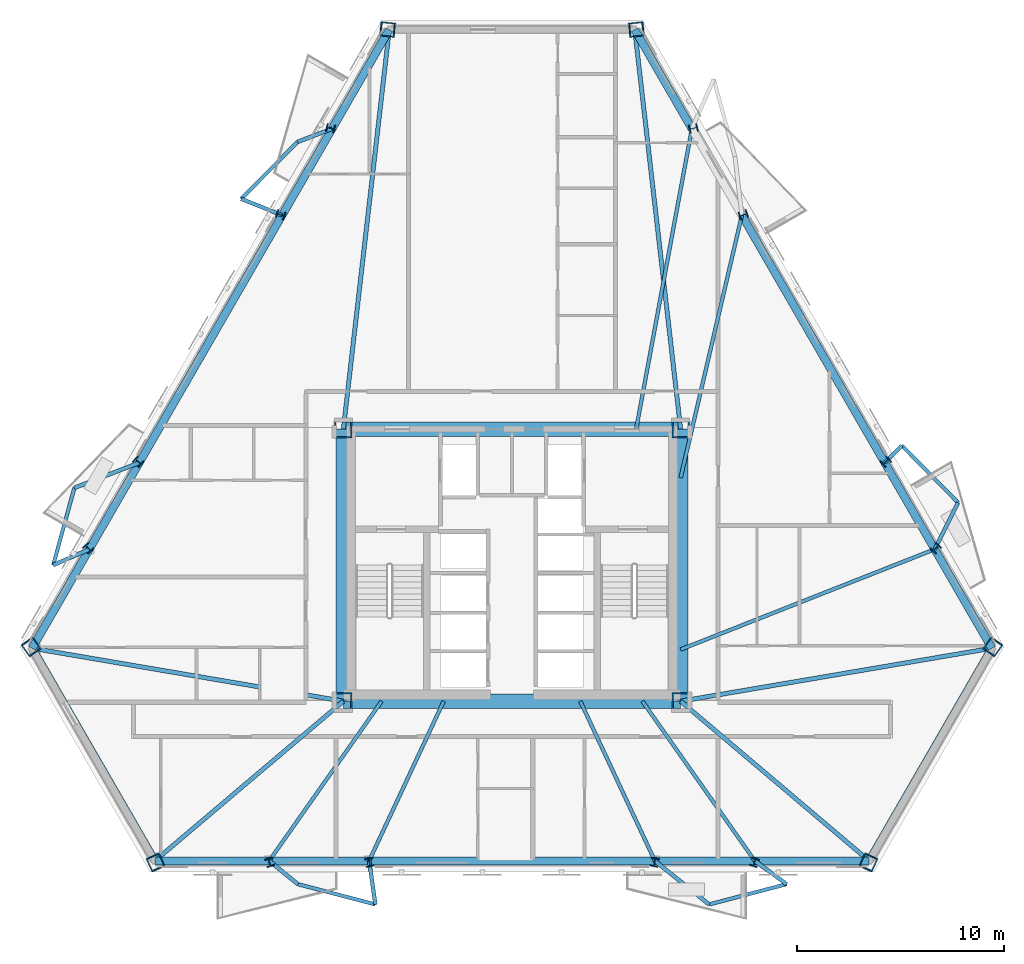
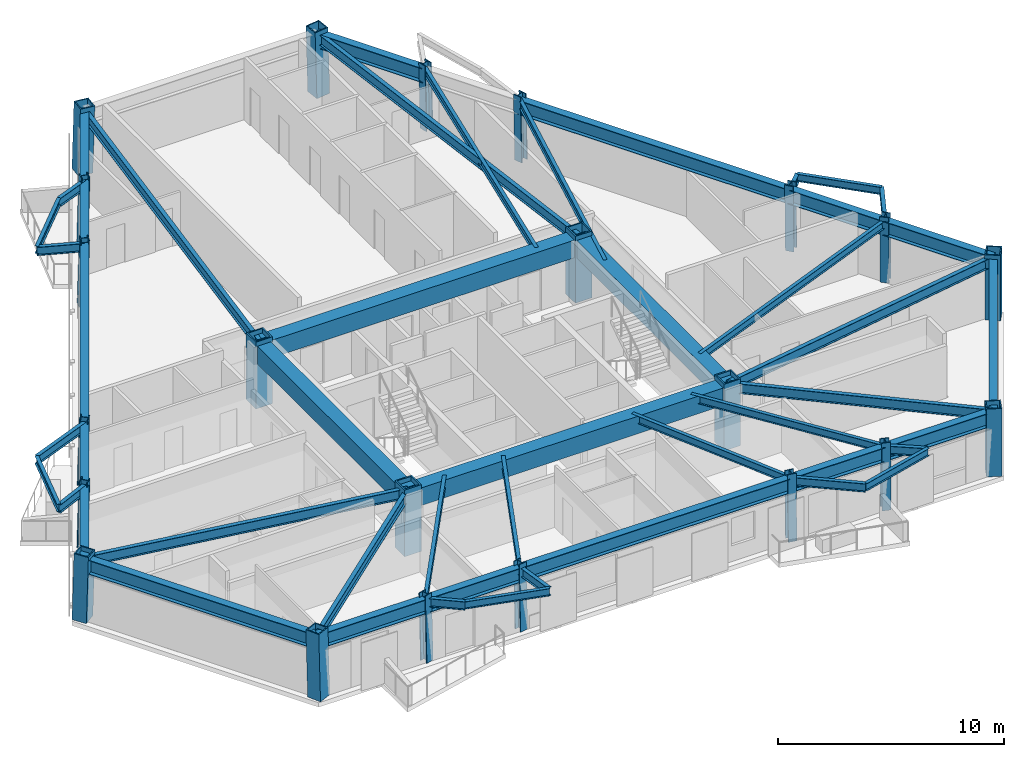
# One storey, part 1 of 10: 48 beams, 22 columns.
"""IFC4 building model written with IfcOpenShell, lengths in metres."""

from ifc_helpers import new_model, si_unit, direction, frame, origin, origin_2d, place, context, subcontext, project, spatial, rectangle, hollow_rectangle, i_section, extrude, material, material_profile, profile_set, type_object, element, save


model = new_model("IFC4")

# Units and contexts
model_context = context("Model", 3, precision=1e-05, world=origin(), true_north=direction((0.0, 1.0)))
body_context = subcontext(model_context, "Body", "Model", "MODEL_VIEW")
ifc_project = project(units=[si_unit("LENGTHUNIT", "METRE"), si_unit("AREAUNIT", "SQUARE_METRE"), si_unit("VOLUMEUNIT", "CUBIC_METRE"), si_unit("PLANEANGLEUNIT", "RADIAN"), si_unit("MASSUNIT", "GRAM", prefix="KILO")], contexts=[model_context])

# Site, building, storey
site_placement = place(None, origin())
site = spatial("IfcSite", under=ifc_project, at=site_placement, CompositionType="ELEMENT")
building_placement = place(site_placement, origin())
building = spatial("IfcBuilding", under=site, at=building_placement, Name="Oramaril Tower", CompositionType="ELEMENT")
storey_placement = place(building_placement, frame((0.0, 0.0, 96.89990234375)))
storey = spatial("IfcBuildingStorey", under=building, at=storey_placement, Name="L25", CompositionType="ELEMENT", Elevation=96.89990234375)

# Columns
ifc_material_1 = material(Name="Steel ASTM A572 Gr 50", Category="steel")
ifc_material_profile_1 = material_profile(ifc_material_1, hollow_rectangle(XDim=0.85009765625, YDim=0.85009765625, WallThickness=0.070068359375, at=origin_2d()), Name="BOX850X850X70")
ifc_profile_set_1 = profile_set([ifc_material_profile_1], Name="Steel ASTM A572 Gr 50")
column_type_1 = type_object("IfcColumnType", Name="CT-CC3", PredefinedType="COLUMN", material=ifc_profile_set_1)
for number, where, z_axis, x_axis, name in (
    (1, (29.35009765625, 11.0, 0.0), (0.0, 0.0, 1.0), (1.0, 0.0, 0.0), "L25 Core Column CC-1"),
    (2, (45.64990234375, 11.0, 0.0), (0.0, 0.0, 1.0), (1.0, 0.0, 0.0), "L25 Core Column CC-2"),
    (3, (45.64990234375, 24.14990234375, 0.0), (0.0, 0.0, 1.0), (1.0, 0.0, 0.0), "L25 Core Column CC-3"),
    (4, (29.35009765625, 24.14990234375, 0.0), (0.0, 0.0, 1.0), (1.0, 0.0, 0.0), "L25 Core Column CC-4"),
):
    element("IfcColumn", number, at=place(storey_placement, frame(where, z_axis=z_axis, x_axis=x_axis)), inside=storey, type_object=column_type_1, Name=name, PredefinedType="COLUMN", context=body_context, shape_type="SweptSolid", body=[
        extrude(hollow_rectangle(XDim=0.85009765625, YDim=0.85009765625, WallThickness=0.070068359375, at=origin_2d()), origin(), (0.0, 0.0, 1.0), 3.60009765625),
    ])
ifc_material_2 = material(Name="Steel ASTM A572 Gr 50", Category="steel")
ifc_material_profile_2 = material_profile(ifc_material_2, hollow_rectangle(XDim=0.699951171875, YDim=0.699951171875, WallThickness=0.054931640625, at=origin_2d()), Name="BOX700X700X55")
ifc_profile_set_2 = profile_set([ifc_material_profile_2], Name="Steel ASTM A572 Gr 50")
column_type_2 = type_object("IfcColumnType", Name="CT-TC4", PredefinedType="COLUMN", material=ifc_profile_set_2)
for number, where, z_axis, x_axis, name in (
    (5, (14.25390625, 13.63916015625, 0.004638671875), (0.015563108273, -0.02181553605, 0.999640871537), (0.814076040897, 0.580758297089, 0.0), "L25 Tube Column TC-01"),
    (6, (20.281494140625, 3.198486328125, 0.004638671875), (-0.011077653379, 0.024465982923, 0.99963928558), (-0.910972120712, -0.412467932433, 0.0), "L25 Tube Column TC-02"),
    (7, (54.718505859375, 3.198486328125, 0.004638671875), (0.011077653379, 0.024465982923, 0.99963928558), (-0.910972120712, 0.412467932433, 0.0), "L25 Tube Column TC-03"),
    (8, (60.74609375, 13.63916015625, 0.004638671875), (-0.015563108273, -0.02181553605, 0.999640871537), (0.814076040897, -0.580758297089, 0.0), "L25 Tube Column TC-04"),
    (9, (43.52783203125, 43.46240234375, 0.004638671875), (-0.026708710298, -0.002650482701, 0.999639744976), (0.098751584092, -0.995112116618, 0.0), "L25 Tube Column TC-05"),
    (10, (31.47216796875, 43.46240234375, 0.004638671875), (0.026708710298, -0.002650482701, 0.999639744976), (0.098751584092, 0.995112116618, 0.0), "L25 Tube Column TC-06"),
):
    element("IfcColumn", number, at=place(storey_placement, frame(where, z_axis=z_axis, x_axis=x_axis)), inside=storey, type_object=column_type_2, Name=name, PredefinedType="COLUMN", context=body_context, shape_type="SweptSolid", body=[
        extrude(hollow_rectangle(XDim=0.699951171875, YDim=0.699951171875, WallThickness=0.054931640625, at=origin_2d()), origin(), (0.0, 0.0, 1.0), 3.59228515625),
    ])
ifc_material_3 = material(Name="Steel ASTM A572 Gr 50", Category="steel")
ifc_material_profile_3 = material_profile(ifc_material_3, i_section(OverallWidth=0.404052734375, OverallDepth=0.406005859375, WebThickness=0.027099609375, FlangeThickness=0.043701171875, at=origin_2d()), Name="W14X233")
ifc_profile_set_3 = profile_set([ifc_material_profile_3], Name="Steel ASTM A572 Gr 50")
column_type_3 = type_object("IfcColumnType", Name="CT-TF3", PredefinedType="COLUMN", material=ifc_profile_set_3)
for number, where, z_axis, x_axis, name in (
    (11, (25.79150390625, 3.198486328125, 0.004638671875), (-0.007543926295, 0.024466787983, 0.999672178998), (-0.955606663527, -0.294645387921, 0.0), "L25 Tube Column TC-07"),
    (12, (30.612548828125, 3.198486328125, 0.004638671875), (-0.004417697099, 0.02446724547, 0.999690871145), (-0.9840878611, -0.177682530476, 0.0), "L25 Tube Column TC-08"),
    (13, (44.387451171875, 3.198486328125, 0.004638671875), (0.004417697099, 0.02446724547, 0.999690871145), (-0.9840878611, 0.177682530476, 0.0), "L25 Tube Column TC-09"),
    (14, (49.20849609375, 3.198486328125, 0.004638671875), (0.007543926295, 0.024466787983, 0.999672178998), (-0.955606663527, 0.294645387921, 0.0), "L25 Tube Column TC-10"),
    (15, (57.9912109375, 18.410888671875, 0.004638671875), (-0.017330670306, -0.018757901978, 0.9996738413), (0.734497286763, -0.678611623639, 0.0), "L25 Tube Column TC-11"),
    (16, (55.580810546875, 22.586181640625, 0.004638671875), (-0.018962107137, -0.016107596385, 0.999690444003), (0.647410505521, -0.762141481183, 0.0), "L25 Tube Column TC-12"),
    (17, (48.693359375, 34.515380859375, 0.004638671875), (-0.023379831777, -0.008359649153, 0.999691702342), (0.336683176567, -0.941617989748, 0.0), "L25 Tube Column TC-13"),
    (18, (46.28271484375, 38.690673828125, 0.004638671875), (-0.024942541221, -0.005708919517, 0.999672585338), (0.223113275422, -0.974792524761, 0.0), "L25 Tube Column TC-14"),
    (19, (28.71728515625, 38.690673828125, 0.004638671875), (0.024942541221, -0.005708919517, 0.999672585338), (0.223113275422, 0.974792524761, 0.0), "L25 Tube Column TC-15"),
    (20, (26.306640625, 34.515380859375, 0.004638671875), (0.023379831777, -0.008359649153, 0.999691702342), (0.336683176567, 0.941617989748, 0.0), "L25 Tube Column TC-16"),
    (21, (19.419189453125, 22.586181640625, 0.004638671875), (0.018962107137, -0.016107596385, 0.999690444003), (0.647410505521, 0.762141481183, 0.0), "L25 Tube Column TC-17"),
    (22, (17.0087890625, 18.410888671875, 0.004638671875), (0.017330670306, -0.018757901978, 0.9996738413), (0.734497286763, 0.678611623639, 0.0), "L25 Tube Column TC-18"),
):
    element("IfcColumn", number, at=place(storey_placement, frame(where, z_axis=z_axis, x_axis=x_axis)), inside=storey, type_object=column_type_3, Name=name, PredefinedType="COLUMN", context=body_context, shape_type="SweptSolid", body=[
        extrude(i_section(OverallWidth=0.404052734375, OverallDepth=0.406005859375, WebThickness=0.027099609375, FlangeThickness=0.043701171875, at=origin_2d()), origin(), (0.0, 0.0, 1.0), 3.59228515625),
    ])

# Beams
ifc_material_4 = material(Name="Steel ASTM A572 Gr 50", Category="steel")
ifc_material_profile_4 = material_profile(ifc_material_4, i_section(OverallWidth=0.19091796875, OverallDepth=0.45703125, WebThickness=0.009033203125, FlangeThickness=0.014404296875, at=origin_2d()), Name="W18X50")
ifc_profile_set_4 = profile_set([ifc_material_profile_4], Name="Steel ASTM A572 Gr 50")
beam_type_1 = type_object("IfcBeamType", Name="BT-BB1", PredefinedType="BEAM", material=ifc_profile_set_4)
beam_1_placement = place(storey_placement, frame((25.764404296875, 3.286376953125, 3.131591796875), z_axis=(0.776364265171, -0.630284481616, 0.0), x_axis=(0.630284481616, 0.776364265171, 0.0)))
element("IfcBeam", 23, at=beam_1_placement, inside=storey, type_object=beam_type_1, Name="L25 Balcony Column-Framed Cantilever 01.1", PredefinedType="BEAM", context=body_context, shape_type="SweptSolid", body=[
    extrude(i_section(OverallWidth=0.19091796875, OverallDepth=0.45703125, WebThickness=0.009033203125, FlangeThickness=0.014404296875, at=origin_2d()), origin(), (0.0, 0.0, 1.0), 1.7900390625),
])
beam_2_placement = place(storey_placement, frame((30.5966796875, 3.286376953125, 3.131591796875), z_axis=(0.141581852025, -0.989926552416, 0.0), x_axis=(0.989926552416, 0.141581852025, 0.0)))
element("IfcBeam", 24, at=beam_2_placement, inside=storey, type_object=beam_type_1, Name="L25 Balcony Column-Framed Cantilever 01.2", PredefinedType="BEAM", context=body_context, shape_type="SweptSolid", body=[
    extrude(i_section(OverallWidth=0.19091796875, OverallDepth=0.45703125, WebThickness=0.009033203125, FlangeThickness=0.014404296875, at=origin_2d()), origin(), (0.0, 0.0, 1.0), 2.129638671875),
])
beam_3_placement = place(storey_placement, frame((44.4033203125, 3.286376953125, 3.131591796875), z_axis=(0.779515259694, -0.626383237247, 0.0), x_axis=(0.626383237247, 0.779515259694, 0.0)))
element("IfcBeam", 25, at=beam_3_placement, inside=storey, type_object=beam_type_1, Name="L25 Balcony Column-Framed Cantilever 02.1", PredefinedType="BEAM", context=body_context, shape_type="SweptSolid", body=[
    extrude(i_section(OverallWidth=0.19091796875, OverallDepth=0.45703125, WebThickness=0.009033203125, FlangeThickness=0.014404296875, at=origin_2d()), origin(), (0.0, 0.0, 1.0), 3.365478515625),
])
beam_4_placement = place(storey_placement, frame((49.235595703125, 3.286376953125, 3.131591796875), z_axis=(0.805850618136, -0.592118891144, 0.0), x_axis=(0.592118891144, 0.805850618136, 0.0)))
element("IfcBeam", 26, at=beam_4_placement, inside=storey, type_object=beam_type_1, Name="L25 Balcony Column-Framed Cantilever 02.2", PredefinedType="BEAM", context=body_context, shape_type="SweptSolid", body=[
    extrude(i_section(OverallWidth=0.19091796875, OverallDepth=0.45703125, WebThickness=0.009033203125, FlangeThickness=0.014404296875, at=origin_2d()), origin(), (0.0, 0.0, 1.0), 1.9052734375),
])
beam_5_placement = place(storey_placement, frame((57.928955078125, 18.343505859375, 3.131591796875), z_axis=(0.447793670285, 0.894136918404, 0.0), x_axis=(-0.894136918404, 0.447793670285, 0.0)))
element("IfcBeam", 27, at=beam_5_placement, inside=storey, type_object=beam_type_1, Name="L25 Balcony Column-Framed Cantilever 03.1", PredefinedType="BEAM", context=body_context, shape_type="SweptSolid", body=[
    extrude(i_section(OverallWidth=0.19091796875, OverallDepth=0.45703125, WebThickness=0.009033203125, FlangeThickness=0.014404296875, at=origin_2d()), origin(), (0.0, 0.0, 1.0), 2.52490234375),
])
beam_6_placement = place(storey_placement, frame((55.5126953125, 22.5283203125, 3.131591796875), z_axis=(0.707524816419, 0.706688498669, 0.0), x_axis=(-0.706688498669, 0.707524816419, 0.0)))
element("IfcBeam", 28, at=beam_6_placement, inside=storey, type_object=beam_type_1, Name="L25 Balcony Column-Framed Cantilever 03.2", PredefinedType="BEAM", context=body_context, shape_type="SweptSolid", body=[
    extrude(i_section(OverallWidth=0.19091796875, OverallDepth=0.45703125, WebThickness=0.009033203125, FlangeThickness=0.014404296875, at=origin_2d()), origin(), (0.0, 0.0, 1.0), 1.167724609375),
])
beam_7_placement = place(storey_placement, frame((28.806884765625, 38.670166015625, 3.131591796875), z_axis=(-0.934022391278, -0.35721446302, 0.0), x_axis=(0.35721446302, -0.934022391278, 0.0)))
element("IfcBeam", 29, at=beam_7_placement, inside=storey, type_object=beam_type_1, Name="L25 Balcony Column-Framed Cantilever 05.1", PredefinedType="BEAM", context=body_context, shape_type="SweptSolid", body=[
    extrude(i_section(OverallWidth=0.19091796875, OverallDepth=0.45703125, WebThickness=0.009033203125, FlangeThickness=0.014404296875, at=origin_2d()), origin(), (0.0, 0.0, 1.0), 1.7900390625),
])
beam_8_placement = place(storey_placement, frame((26.390625, 34.4853515625, 3.131591796875), z_axis=(-0.928080824669, 0.372378816371, 0.0), x_axis=(-0.372378816371, -0.928080824669, 0.0)))
element("IfcBeam", 30, at=beam_8_placement, inside=storey, type_object=beam_type_1, Name="L25 Balcony Column-Framed Cantilever 05.2", PredefinedType="BEAM", context=body_context, shape_type="SweptSolid", body=[
    extrude(i_section(OverallWidth=0.19091796875, OverallDepth=0.45703125, WebThickness=0.009033203125, FlangeThickness=0.014404296875, at=origin_2d()), origin(), (0.0, 0.0, 1.0), 2.12939453125),
])
beam_9_placement = place(storey_placement, frame((19.4873046875, 22.5283203125, 3.131591796875), z_axis=(-0.932215522274, -0.361903605994, 0.0), x_axis=(0.361903605994, -0.932215522274, 0.0)))
element("IfcBeam", 31, at=beam_9_placement, inside=storey, type_object=beam_type_1, Name="L25 Balcony Column-Framed Cantilever 06.1", PredefinedType="BEAM", context=body_context, shape_type="SweptSolid", body=[
    extrude(i_section(OverallWidth=0.19091796875, OverallDepth=0.45703125, WebThickness=0.009033203125, FlangeThickness=0.014404296875, at=origin_2d()), origin(), (0.0, 0.0, 1.0), 3.365478515625),
])
beam_10_placement = place(storey_placement, frame((17.071044921875, 18.343505859375, 3.131591796875), z_axis=(-0.915683144161, -0.401900957325, 0.0), x_axis=(0.401900957325, -0.915683144161, 0.0)))
element("IfcBeam", 32, at=beam_10_placement, inside=storey, type_object=beam_type_1, Name="L25 Balcony Column-Framed Cantilever 06.2", PredefinedType="BEAM", context=body_context, shape_type="SweptSolid", body=[
    extrude(i_section(OverallWidth=0.19091796875, OverallDepth=0.45703125, WebThickness=0.009033203125, FlangeThickness=0.014404296875, at=origin_2d()), origin(), (0.0, 0.0, 1.0), 1.905029296875),
])
ifc_material_5 = material(Name="Concrete C50/60", Category="concrete")
ifc_material_profile_5 = material_profile(ifc_material_5, rectangle(XDim=0.699951171875, YDim=0.949951171875, at=origin_2d()), Name="CB700X950")
ifc_profile_set_5 = profile_set([ifc_material_profile_5], Name="Concrete C50/60")
beam_type_2 = type_object("IfcBeamType", Name="BT-CB1", PredefinedType="BEAM", material=ifc_profile_set_5)
beam_11_placement = place(storey_placement, frame((29.35009765625, 11.0, 2.885009765625), z_axis=(1.0, 0.0, 0.0), x_axis=(0.0, 1.0, 0.0)))
element("IfcBeam", 33, at=beam_11_placement, inside=storey, type_object=beam_type_2, Name="L25 Core Header Beam CB-1", PredefinedType="BEAM", context=body_context, shape_type="SweptSolid", body=[
    extrude(rectangle(XDim=0.699951171875, YDim=0.949951171875, at=origin_2d()), origin(), (0.0, 0.0, 1.0), 16.2998046875),
])
beam_12_placement = place(storey_placement, frame((45.64990234375, 11.0, 2.885009765625), z_axis=(0.0, 1.0, 0.0), x_axis=(-1.0, 0.0, 0.0)))
element("IfcBeam", 34, at=beam_12_placement, inside=storey, type_object=beam_type_2, Name="L25 Core Header Beam CB-2", PredefinedType="BEAM", context=body_context, shape_type="SweptSolid", body=[
    extrude(rectangle(XDim=0.699951171875, YDim=0.949951171875, at=origin_2d()), origin(), (0.0, 0.0, 1.0), 13.14990234375),
])
beam_13_placement = place(storey_placement, frame((45.64990234375, 24.14990234375, 2.885009765625), z_axis=(-1.0, 0.0, 0.0), x_axis=(0.0, -1.0, 0.0)))
element("IfcBeam", 35, at=beam_13_placement, inside=storey, type_object=beam_type_2, Name="L25 Core Header Beam CB-3", PredefinedType="BEAM", context=body_context, shape_type="SweptSolid", body=[
    extrude(rectangle(XDim=0.699951171875, YDim=0.949951171875, at=origin_2d()), origin(), (0.0, 0.0, 1.0), 16.2998046875),
])
beam_14_placement = place(storey_placement, frame((29.35009765625, 24.14990234375, 2.885009765625), z_axis=(0.0, -1.0, 0.0), x_axis=(1.0, 0.0, 0.0)))
element("IfcBeam", 36, at=beam_14_placement, inside=storey, type_object=beam_type_2, Name="L25 Core Header Beam CB-4", PredefinedType="BEAM", context=body_context, shape_type="SweptSolid", body=[
    extrude(rectangle(XDim=0.699951171875, YDim=0.949951171875, at=origin_2d()), origin(), (0.0, 0.0, 1.0), 13.14990234375),
])
ifc_material_6 = material(Name="Steel ASTM A572 Gr 50", Category="steel")
ifc_material_profile_6 = material_profile(ifc_material_6, i_section(OverallWidth=0.2099609375, OverallDepth=0.535888671875, WebThickness=0.010986328125, FlangeThickness=0.017333984375, at=origin_2d()), Name="W21X68")
ifc_profile_set_6 = profile_set([ifc_material_profile_6], Name="Steel ASTM A572 Gr 50")
beam_type_3 = type_object("IfcBeamType", Name="BT-FB2", PredefinedType="BEAM", material=ifc_profile_set_6)
beam_15_placement = place(storey_placement, frame((29.35009765625, 11.0, 3.092041015625), z_axis=(-0.985813114767, 0.167846664407, 0.0), x_axis=(-0.167846664407, -0.985813114767, 0.0)))
element("IfcBeam", 37, at=beam_15_placement, inside=storey, type_object=beam_type_3, Name="L25 Radial Primary Beam RB-01", PredefinedType="BEAM", context=body_context, shape_type="SweptSolid", body=[
    extrude(i_section(OverallWidth=0.2099609375, OverallDepth=0.535888671875, WebThickness=0.010986328125, FlangeThickness=0.017333984375, at=origin_2d()), origin(), (0.0, 0.0, 1.0), 15.2568359375),
])
for number, where, z_axis, x_axis, name in (
    (38, (29.35009765625, 11.0, 3.092041015625), (-0.763116995344, -0.646260358847, 0.0), (0.646260358847, -0.763116995344, 0.0), "L25 Radial Primary Beam RB-02"),
    (39, (45.64990234375, 11.0, 3.092041015625), (0.763116995344, -0.646260358847, 0.0), (0.646260358847, 0.763116995344, 0.0), "L25 Radial Primary Beam RB-03"),
):
    element("IfcBeam", number, at=place(storey_placement, frame(where, z_axis=z_axis, x_axis=x_axis)), inside=storey, type_object=beam_type_3, Name=name, PredefinedType="BEAM", context=body_context, shape_type="SweptSolid", body=[
        extrude(i_section(OverallWidth=0.2099609375, OverallDepth=0.535888671875, WebThickness=0.010986328125, FlangeThickness=0.017333984375, at=origin_2d()), origin(), (0.0, 0.0, 1.0), 11.935791015625),
    ])
beam_16_placement = place(storey_placement, frame((45.64990234375, 11.0, 3.092041015625), z_axis=(0.985813114767, 0.167846664407, 0.0), x_axis=(-0.167846664407, 0.985813114767, 0.0)))
element("IfcBeam", 40, at=beam_16_placement, inside=storey, type_object=beam_type_3, Name="L25 Radial Primary Beam RB-04", PredefinedType="BEAM", context=body_context, shape_type="SweptSolid", body=[
    extrude(i_section(OverallWidth=0.2099609375, OverallDepth=0.535888671875, WebThickness=0.010986328125, FlangeThickness=0.017333984375, at=origin_2d()), origin(), (0.0, 0.0, 1.0), 15.2568359375),
])
for number, where, z_axis, x_axis, name in (
    (41, (45.64990234375, 24.14990234375, 3.092041015625), (-0.114154323911, 0.993463029172, 0.0), (-0.993463029172, -0.114154323911, 0.0), "L25 Radial Primary Beam RB-05"),
    (42, (29.35009765625, 24.14990234375, 3.092041015625), (0.114154323911, 0.993463029172, 0.0), (-0.993463029172, 0.114154323911, 0.0), "L25 Radial Primary Beam RB-06"),
):
    element("IfcBeam", number, at=place(storey_placement, frame(where, z_axis=z_axis, x_axis=x_axis)), inside=storey, type_object=beam_type_3, Name=name, PredefinedType="BEAM", context=body_context, shape_type="SweptSolid", body=[
        extrude(i_section(OverallWidth=0.2099609375, OverallDepth=0.535888671875, WebThickness=0.010986328125, FlangeThickness=0.017333984375, at=origin_2d()), origin(), (0.0, 0.0, 1.0), 19.429931640625),
    ])
ifc_material_7 = material(Name="Steel ASTM A572 Gr 50", Category="steel")
ifc_material_profile_7 = material_profile(ifc_material_7, i_section(OverallWidth=0.177978515625, OverallDepth=0.404052734375, WebThickness=0.007568359375, FlangeThickness=0.010986328125, at=origin_2d()), Name="W16X36")
ifc_profile_set_7 = profile_set([ifc_material_profile_7], Name="Steel ASTM A572 Gr 50")
beam_type_4 = type_object("IfcBeamType", Name="BT-SB1", PredefinedType="BEAM", material=ifc_profile_set_7)
beam_17_placement = place(storey_placement, frame((31.199951171875, 11.0, 3.158203125), z_axis=(-0.576020725217, -0.817435088628, 0.0), x_axis=(0.817435088628, -0.576020725217, 0.0)))
element("IfcBeam", 43, at=beam_17_placement, inside=storey, type_object=beam_type_4, Name="L25 Secondary Floor Beam SB-01", PredefinedType="BEAM", context=body_context, shape_type="SweptSolid", body=[
    extrude(i_section(OverallWidth=0.177978515625, OverallDepth=0.404052734375, WebThickness=0.007568359375, FlangeThickness=0.010986328125, at=origin_2d()), origin(), (0.0, 0.0, 1.0), 9.436279296875),
])
for number, where, z_axis, x_axis, name in (
    (44, (34.199951171875, 11.0, 3.158203125), (-0.423230803904, -0.906021901847, 0.0), (0.906021901847, -0.423230803904, 0.0), "L25 Secondary Floor Beam SB-02"),
    (45, (40.800048828125, 11.0, 3.158203125), (0.423230803904, -0.906021901847, 0.0), (0.906021901847, 0.423230803904, 0.0), "L25 Secondary Floor Beam SB-03"),
):
    element("IfcBeam", number, at=place(storey_placement, frame(where, z_axis=z_axis, x_axis=x_axis)), inside=storey, type_object=beam_type_4, Name=name, PredefinedType="BEAM", context=body_context, shape_type="SweptSolid", body=[
        extrude(i_section(OverallWidth=0.177978515625, OverallDepth=0.404052734375, WebThickness=0.007568359375, FlangeThickness=0.010986328125, at=origin_2d()), origin(), (0.0, 0.0, 1.0), 8.513671875),
    ])
beam_18_placement = place(storey_placement, frame((43.800048828125, 11.0, 3.158203125), z_axis=(0.576020725217, -0.817435088628, 0.0), x_axis=(0.817435088628, 0.576020725217, 0.0)))
element("IfcBeam", 46, at=beam_18_placement, inside=storey, type_object=beam_type_4, Name="L25 Secondary Floor Beam SB-04", PredefinedType="BEAM", context=body_context, shape_type="SweptSolid", body=[
    extrude(i_section(OverallWidth=0.177978515625, OverallDepth=0.404052734375, WebThickness=0.007568359375, FlangeThickness=0.010986328125, at=origin_2d()), origin(), (0.0, 0.0, 1.0), 9.436279296875),
])
beam_19_placement = place(storey_placement, frame((45.64990234375, 13.5, 3.158203125), z_axis=(0.930245455753, 0.366937858568, 0.0), x_axis=(-0.366937858568, 0.930245455753, 0.0)))
element("IfcBeam", 47, at=beam_19_placement, inside=storey, type_object=beam_type_4, Name="L25 Secondary Floor Beam SB-05", PredefinedType="BEAM", context=body_context, shape_type="SweptSolid", body=[
    extrude(i_section(OverallWidth=0.177978515625, OverallDepth=0.404052734375, WebThickness=0.007568359375, FlangeThickness=0.010986328125, at=origin_2d()), origin(), (0.0, 0.0, 1.0), 13.19970703125),
])
beam_20_placement = place(storey_placement, frame((45.64990234375, 21.800048828125, 3.158203125), z_axis=(0.227198213182, 0.97384853644, 0.0), x_axis=(-0.97384853644, 0.227198213182, 0.0)))
element("IfcBeam", 48, at=beam_20_placement, inside=storey, type_object=beam_type_4, Name="L25 Secondary Floor Beam SB-06", PredefinedType="BEAM", context=body_context, shape_type="SweptSolid", body=[
    extrude(i_section(OverallWidth=0.177978515625, OverallDepth=0.404052734375, WebThickness=0.007568359375, FlangeThickness=0.010986328125, at=origin_2d()), origin(), (0.0, 0.0, 1.0), 13.02587890625),
])
beam_21_placement = place(storey_placement, frame((43.5, 24.14990234375, 3.158203125), z_axis=(0.182362752078, 0.983231318996, 0.0), x_axis=(-0.983231318996, 0.182362752078, 0.0)))
element("IfcBeam", 49, at=beam_21_placement, inside=storey, type_object=beam_type_4, Name="L25 Secondary Floor Beam SB-07", PredefinedType="BEAM", context=body_context, shape_type="SweptSolid", body=[
    extrude(i_section(OverallWidth=0.177978515625, OverallDepth=0.404052734375, WebThickness=0.007568359375, FlangeThickness=0.010986328125, at=origin_2d()), origin(), (0.0, 0.0, 1.0), 14.767822265625),
])
for number, where, z_axis, x_axis, name in (
    (50, (27.154052734375, 2.158203125, 3.158203125), (0.967411967632, -0.253207592467, 0.0), (0.253207592467, 0.967411967632, 0.0), "L25 Balcony Edge Tie Beam 01"),
    (51, (47.02685546875, 1.17822265625, 3.158203125), (0.967411967632, 0.253207592467, 0.0), (-0.253207592467, 0.967411967632, 0.0), "L25 Balcony Edge Tie Beam 02"),
):
    element("IfcBeam", number, at=place(storey_placement, frame(where, z_axis=z_axis, x_axis=x_axis)), inside=storey, type_object=beam_type_4, Name=name, PredefinedType="BEAM", context=body_context, shape_type="SweptSolid", body=[
        extrude(i_section(OverallWidth=0.177978515625, OverallDepth=0.404052734375, WebThickness=0.007568359375, FlangeThickness=0.010986328125, at=origin_2d()), origin(), (0.0, 0.0, 1.0), 3.870361328125),
    ])
for number, where, z_axis, x_axis, name in (
    (52, (59.0595703125, 20.60107421875, 3.158203125), (-0.702994511648, 0.71119527318, 0.0), (-0.71119527318, -0.702994511648, 0.0), "L25 Balcony Edge Tie Beam 03"),
    (53, (27.135009765625, 38.03076171875, 3.158203125), (-0.702994511648, -0.71119527318, 0.0), (0.71119527318, -0.702994511648, 0.0), "L25 Balcony Edge Tie Beam 05"),
    (54, (16.349853515625, 21.310302734375, 3.158203125), (-0.264382243015, -0.964417974521, 0.0), (0.964417974521, -0.264382243015, 0.0), "L25 Balcony Edge Tie Beam 06"),
):
    element("IfcBeam", number, at=place(storey_placement, frame(where, z_axis=z_axis, x_axis=x_axis)), inside=storey, type_object=beam_type_4, Name=name, PredefinedType="BEAM", context=body_context, shape_type="SweptSolid", body=[
        extrude(i_section(OverallWidth=0.177978515625, OverallDepth=0.404052734375, WebThickness=0.007568359375, FlangeThickness=0.010986328125, at=origin_2d()), origin(), (0.0, 0.0, 1.0), 3.8701171875),
    ])
ifc_material_8 = material(Name="Steel ASTM A572 Gr 50", Category="steel")
ifc_material_profile_8 = material_profile(ifc_material_8, i_section(OverallWidth=0.381103515625, OverallDepth=0.77197265625, WebThickness=0.0166015625, FlangeThickness=0.027099609375, at=origin_2d()), Name="W30X173")
ifc_profile_set_8 = profile_set([ifc_material_profile_8], Name="Steel ASTM A572 Gr 50")
beam_type_5 = type_object("IfcBeamType", Name="BT-SP2", PredefinedType="SPANDREL", material=ifc_profile_set_8)
beam_22_placement = place(storey_placement, frame((14.309814453125, 13.560791015625, 2.97412109375), z_axis=(0.4999967785, -0.866027263711, 0.0), x_axis=(0.866027263711, 0.4999967785, 0.0)))
element("IfcBeam", 55, at=beam_22_placement, inside=storey, type_object=beam_type_5, Name="L25 Perimeter Spandrel 01", PredefinedType="SPANDREL", context=body_context, shape_type="SweptSolid", body=[
    extrude(i_section(OverallWidth=0.381103515625, OverallDepth=0.77197265625, WebThickness=0.0166015625, FlangeThickness=0.027099609375, at=origin_2d()), origin(), (0.0, 0.0, 1.0), 11.86376953125),
])
beam_23_placement = place(storey_placement, frame((20.24169921875, 3.286376953125, 2.97412109375), z_axis=(1.0, 0.0, 0.0), x_axis=(0.0, 1.0, 0.0)))
element("IfcBeam", 56, at=beam_23_placement, inside=storey, type_object=beam_type_5, Name="L25 Perimeter Spandrel 02", PredefinedType="SPANDREL", context=body_context, shape_type="SweptSolid", body=[
    extrude(i_section(OverallWidth=0.381103515625, OverallDepth=0.77197265625, WebThickness=0.0166015625, FlangeThickness=0.027099609375, at=origin_2d()), origin(), (0.0, 0.0, 1.0), 5.522705078125),
])
beam_24_placement = place(storey_placement, frame((25.764404296875, 3.286376953125, 2.97412109375), z_axis=(1.0, 0.0, 0.0), x_axis=(0.0, 1.0, 0.0)))
element("IfcBeam", 57, at=beam_24_placement, inside=storey, type_object=beam_type_5, Name="L25 Perimeter Spandrel 03", PredefinedType="SPANDREL", context=body_context, shape_type="SweptSolid", body=[
    extrude(i_section(OverallWidth=0.381103515625, OverallDepth=0.77197265625, WebThickness=0.0166015625, FlangeThickness=0.027099609375, at=origin_2d()), origin(), (0.0, 0.0, 1.0), 4.832275390625),
])
beam_25_placement = place(storey_placement, frame((30.5966796875, 3.286376953125, 2.97412109375), z_axis=(1.0, 0.0, 0.0), x_axis=(0.0, 1.0, 0.0)))
element("IfcBeam", 58, at=beam_25_placement, inside=storey, type_object=beam_type_5, Name="L25 Perimeter Spandrel 04", PredefinedType="SPANDREL", context=body_context, shape_type="SweptSolid", body=[
    extrude(i_section(OverallWidth=0.381103515625, OverallDepth=0.77197265625, WebThickness=0.0166015625, FlangeThickness=0.027099609375, at=origin_2d()), origin(), (0.0, 0.0, 1.0), 13.806640625),
])
beam_26_placement = place(storey_placement, frame((44.4033203125, 3.286376953125, 2.97412109375), z_axis=(1.0, 0.0, 0.0), x_axis=(0.0, 1.0, 0.0)))
element("IfcBeam", 59, at=beam_26_placement, inside=storey, type_object=beam_type_5, Name="L25 Perimeter Spandrel 05", PredefinedType="SPANDREL", context=body_context, shape_type="SweptSolid", body=[
    extrude(i_section(OverallWidth=0.381103515625, OverallDepth=0.77197265625, WebThickness=0.0166015625, FlangeThickness=0.027099609375, at=origin_2d()), origin(), (0.0, 0.0, 1.0), 4.832275390625),
])
beam_27_placement = place(storey_placement, frame((49.235595703125, 3.286376953125, 2.97412109375), z_axis=(1.0, 0.0, 0.0), x_axis=(0.0, 1.0, 0.0)))
element("IfcBeam", 60, at=beam_27_placement, inside=storey, type_object=beam_type_5, Name="L25 Perimeter Spandrel 06", PredefinedType="SPANDREL", context=body_context, shape_type="SweptSolid", body=[
    extrude(i_section(OverallWidth=0.381103515625, OverallDepth=0.77197265625, WebThickness=0.0166015625, FlangeThickness=0.027099609375, at=origin_2d()), origin(), (0.0, 0.0, 1.0), 5.522705078125),
])
beam_28_placement = place(storey_placement, frame((54.75830078125, 3.286376953125, 2.97412109375), z_axis=(0.4999967785, 0.866027263711, 0.0), x_axis=(-0.866027263711, 0.4999967785, 0.0)))
element("IfcBeam", 61, at=beam_28_placement, inside=storey, type_object=beam_type_5, Name="L25 Perimeter Spandrel 07", PredefinedType="SPANDREL", context=body_context, shape_type="SweptSolid", body=[
    extrude(i_section(OverallWidth=0.381103515625, OverallDepth=0.77197265625, WebThickness=0.0166015625, FlangeThickness=0.027099609375, at=origin_2d()), origin(), (0.0, 0.0, 1.0), 11.86376953125),
])
beam_29_placement = place(storey_placement, frame((60.690185546875, 13.560791015625, 2.97412109375), z_axis=(-0.499990325971, 0.866030989016, 0.0), x_axis=(-0.866030989016, -0.499990325971, 0.0)))
element("IfcBeam", 62, at=beam_29_placement, inside=storey, type_object=beam_type_5, Name="L25 Perimeter Spandrel 08", PredefinedType="SPANDREL", context=body_context, shape_type="SweptSolid", body=[
    extrude(i_section(OverallWidth=0.381103515625, OverallDepth=0.77197265625, WebThickness=0.0166015625, FlangeThickness=0.027099609375, at=origin_2d()), origin(), (0.0, 0.0, 1.0), 5.5224609375),
])
beam_30_placement = place(storey_placement, frame((57.928955078125, 18.343505859375, 2.97412109375), z_axis=(-0.500024214217, 0.866011423248, 0.0), x_axis=(-0.866011423248, -0.500024214217, 0.0)))
element("IfcBeam", 63, at=beam_30_placement, inside=storey, type_object=beam_type_5, Name="L25 Perimeter Spandrel 09", PredefinedType="SPANDREL", context=body_context, shape_type="SweptSolid", body=[
    extrude(i_section(OverallWidth=0.381103515625, OverallDepth=0.77197265625, WebThickness=0.0166015625, FlangeThickness=0.027099609375, at=origin_2d()), origin(), (0.0, 0.0, 1.0), 4.832275390625),
])
beam_31_placement = place(storey_placement, frame((55.5126953125, 22.5283203125, 2.97412109375), z_axis=(-0.49999593142, 0.866027752767, 0.0), x_axis=(-0.866027752767, -0.49999593142, 0.0)))
element("IfcBeam", 64, at=beam_31_placement, inside=storey, type_object=beam_type_5, Name="L25 Perimeter Spandrel 10", PredefinedType="SPANDREL", context=body_context, shape_type="SweptSolid", body=[
    extrude(i_section(OverallWidth=0.381103515625, OverallDepth=0.77197265625, WebThickness=0.0166015625, FlangeThickness=0.027099609375, at=origin_2d()), origin(), (0.0, 0.0, 1.0), 13.806640625),
])
for number, where, z_axis, x_axis, name in (
    (65, (46.193115234375, 38.670166015625, 2.97412109375), (-0.499990325971, 0.866030989016, 0.0), (-0.866030989016, -0.499990325971, 0.0), "L25 Perimeter Spandrel 12"),
    (66, (31.568115234375, 43.452880859375, 2.97412109375), (-0.499990325971, -0.866030989016, 0.0), (0.866030989016, -0.499990325971, 0.0), "L25 Perimeter Spandrel 14"),
):
    element("IfcBeam", number, at=place(storey_placement, frame(where, z_axis=z_axis, x_axis=x_axis)), inside=storey, type_object=beam_type_5, Name=name, PredefinedType="SPANDREL", context=body_context, shape_type="SweptSolid", body=[
        extrude(i_section(OverallWidth=0.381103515625, OverallDepth=0.77197265625, WebThickness=0.0166015625, FlangeThickness=0.027099609375, at=origin_2d()), origin(), (0.0, 0.0, 1.0), 5.5224609375),
    ])
beam_32_placement = place(storey_placement, frame((28.806884765625, 38.670166015625, 2.97412109375), z_axis=(-0.500024214217, -0.866011423248, 0.0), x_axis=(0.866011423248, -0.500024214217, 0.0)))
element("IfcBeam", 67, at=beam_32_placement, inside=storey, type_object=beam_type_5, Name="L25 Perimeter Spandrel 15", PredefinedType="SPANDREL", context=body_context, shape_type="SweptSolid", body=[
    extrude(i_section(OverallWidth=0.381103515625, OverallDepth=0.77197265625, WebThickness=0.0166015625, FlangeThickness=0.027099609375, at=origin_2d()), origin(), (0.0, 0.0, 1.0), 4.832275390625),
])
beam_33_placement = place(storey_placement, frame((26.390625, 34.4853515625, 2.97412109375), z_axis=(-0.49999593142, -0.866027752767, 0.0), x_axis=(0.866027752767, -0.49999593142, 0.0)))
element("IfcBeam", 68, at=beam_33_placement, inside=storey, type_object=beam_type_5, Name="L25 Perimeter Spandrel 16", PredefinedType="SPANDREL", context=body_context, shape_type="SweptSolid", body=[
    extrude(i_section(OverallWidth=0.381103515625, OverallDepth=0.77197265625, WebThickness=0.0166015625, FlangeThickness=0.027099609375, at=origin_2d()), origin(), (0.0, 0.0, 1.0), 13.806640625),
])
beam_34_placement = place(storey_placement, frame((19.4873046875, 22.5283203125, 2.97412109375), z_axis=(-0.500024214217, -0.866011423248, 0.0), x_axis=(0.866011423248, -0.500024214217, 0.0)))
element("IfcBeam", 69, at=beam_34_placement, inside=storey, type_object=beam_type_5, Name="L25 Perimeter Spandrel 17", PredefinedType="SPANDREL", context=body_context, shape_type="SweptSolid", body=[
    extrude(i_section(OverallWidth=0.381103515625, OverallDepth=0.77197265625, WebThickness=0.0166015625, FlangeThickness=0.027099609375, at=origin_2d()), origin(), (0.0, 0.0, 1.0), 4.832275390625),
])
beam_35_placement = place(storey_placement, frame((17.071044921875, 18.343505859375, 2.97412109375), z_axis=(-0.499990325971, -0.866030989016, 0.0), x_axis=(0.866030989016, -0.499990325971, 0.0)))
element("IfcBeam", 70, at=beam_35_placement, inside=storey, type_object=beam_type_5, Name="L25 Perimeter Spandrel 18", PredefinedType="SPANDREL", context=body_context, shape_type="SweptSolid", body=[
    extrude(i_section(OverallWidth=0.381103515625, OverallDepth=0.77197265625, WebThickness=0.0166015625, FlangeThickness=0.027099609375, at=origin_2d()), origin(), (0.0, 0.0, 1.0), 5.5224609375),
])

save(model, "model.ifc")
